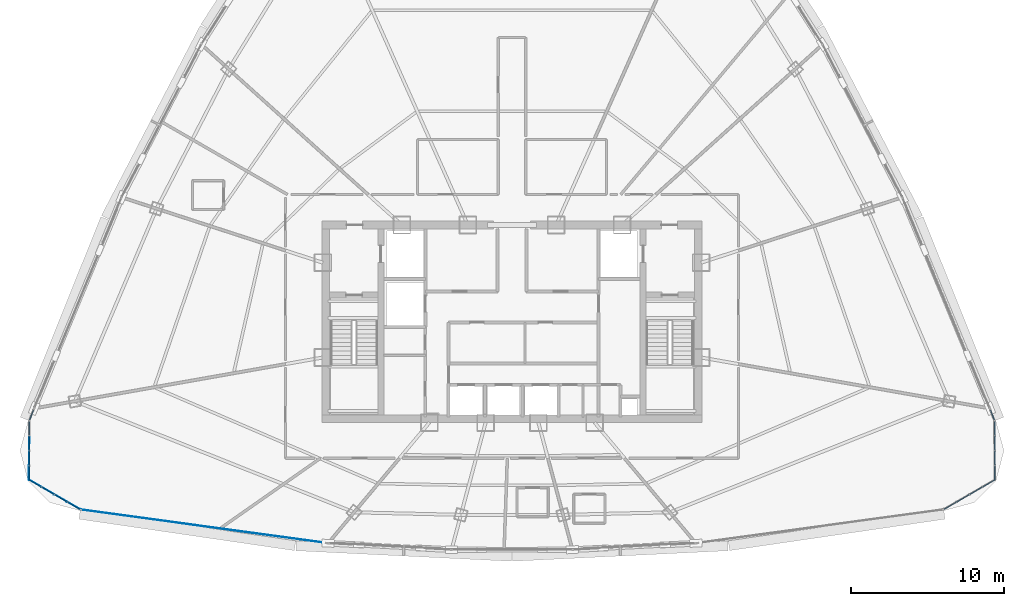
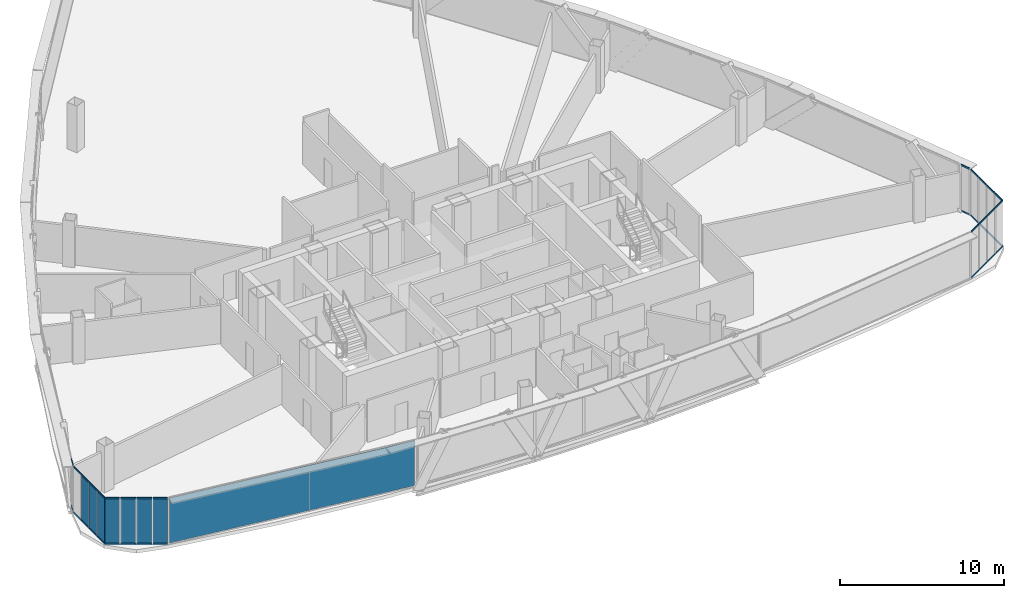
# One storey, part 29 of 40: 36 members, 8 plates, 7 elements without a shape of their own.
"""IFC4 building model written with IfcOpenShell, lengths in metres."""

from ifc_helpers import new_model, si_unit, direction, frame, origin, origin_2d, place, context, subcontext, project, spatial, rectangle, hollow_rectangle, extrude, source, transform, mapped, material, layer, layer_set, material_profile, profile_set, type_object, element, aggregate, save


model = new_model("IFC4")

# Units and contexts
model_context = context("Model", 3, precision=1e-05, world=origin(), true_north=direction((0.0, 1.0)))
body_context = subcontext(model_context, "Body", "Model", "MODEL_VIEW")
ifc_project = project(units=[si_unit("LENGTHUNIT", "METRE"), si_unit("AREAUNIT", "SQUARE_METRE"), si_unit("VOLUMEUNIT", "CUBIC_METRE"), si_unit("PLANEANGLEUNIT", "RADIAN"), si_unit("MASSUNIT", "GRAM", prefix="KILO"), si_unit("THERMODYNAMICTEMPERATUREUNIT", "KELVIN"), si_unit("POWERUNIT", "WATT")], contexts=[model_context])

# Site, building, storey
site_placement = place(None, origin())
site = spatial("IfcSite", under=ifc_project, at=site_placement, CompositionType="ELEMENT")
building_placement = place(site_placement, origin())
building = spatial("IfcBuilding", under=site, at=building_placement, Name="Yunzhuo Pagoda Commons", CompositionType="ELEMENT")
storey_placement = place(building_placement, frame((0.0, 0.0, 288.75)))
storey = spatial("IfcBuildingStorey", under=building, at=storey_placement, Name="L72", CompositionType="ELEMENT", Elevation=288.75)

# Curtain wall, members
ifc_material_1 = material(Name="Anodized aluminium 6063-T6", Category="aluminium")
ifc_layer_1 = layer(ifc_material_1, 0.139892578125)
ifc_layer_set_1 = layer_set([ifc_layer_1], Name="Anodized aluminium 6063-T6")
curtain_wall_type_1 = type_object("IfcCurtainWallType", Name="CW-HI High-Zone Ribbon Curtain Wall", PredefinedType="NOTDEFINED", material=ifc_layer_set_1)
curtain_wall_1_placement = place(storey_placement, origin())
curtain_wall_1 = element("IfcCurtainWall", 1, at=curtain_wall_1_placement, inside=storey, type_object=curtain_wall_type_1, Name="L72 curtain wall CW-L72-F2B1", PredefinedType="NOTDEFINED")
ifc_material_profile_1 = material_profile(ifc_material_1, hollow_rectangle(XDim=0.054931640625, YDim=0.1201171875, WallThickness=0.00341796875, at=origin_2d()), Name="Anodized aluminium 6063-T6")
ifc_profile_set_1 = profile_set([ifc_material_profile_1], Name="Anodized aluminium 6063-T6")
member_type_1 = type_object("IfcMemberType", Name="CW-HI-T Transom RHS 120x55x3.5", PredefinedType="USERDEFINED", material=ifc_profile_set_1)
shared_shape_1 = source(origin(), body_context, "Body", "SweptSolid", [
    extrude(hollow_rectangle(XDim=0.054931640625, YDim=0.1201171875, WallThickness=0.00341796875, at=origin_2d()), origin(), (0.0, 0.0, 1.0), 0.668701171875),
])
member_1_placement = place(storey_placement, frame((79.623291015625, 27.426513671875, 0.027587890625), z_axis=(-0.362499110284, 0.931984117377, 0.0), x_axis=(-0.931984117377, -0.362499110284, 0.0)))
member_1 = element("IfcMember", 2, at=member_1_placement, type_object=member_type_1, Name="CW transom 1.1", ObjectType="TRANSOM", PredefinedType="USERDEFINED", context=body_context, shape_type="MappedRepresentation", body=[
    mapped(shared_shape_1, transform((0.0, 0.0, 0.0), scale=1.0)),
])
member_2_placement = place(storey_placement, frame((79.623291015625, 27.426513671875, 3.4423828125), z_axis=(-0.362499110284, 0.931984117377, 0.0), x_axis=(-0.931984117377, -0.362499110284, 0.0)))
member_2 = element("IfcMember", 3, at=member_2_placement, type_object=member_type_1, Name="CW transom 1.2", ObjectType="TRANSOM", PredefinedType="USERDEFINED", context=body_context, shape_type="MappedRepresentation", body=[
    mapped(shared_shape_1, transform((0.0, 0.0, 0.0), scale=1.0)),
])
aggregate(curtain_wall_1, [member_1, member_2])

curtain_wall_2_placement = place(storey_placement, origin())
curtain_wall_2 = element("IfcCurtainWall", 4, at=curtain_wall_2_placement, inside=storey, type_object=curtain_wall_type_1, Name="L72 curtain wall CW-L72-F3B5", PredefinedType="NOTDEFINED")
member_3_placement = place(storey_placement, frame((16.619140625, 28.0498046875, 0.027587890625), z_axis=(-0.362499110284, -0.931984117377, 0.0), x_axis=(0.931984117377, -0.362499110284, 0.0)))
member_3 = element("IfcMember", 5, at=member_3_placement, type_object=member_type_1, Name="CW transom 1.1", ObjectType="TRANSOM", PredefinedType="USERDEFINED", context=body_context, shape_type="MappedRepresentation", body=[
    mapped(shared_shape_1, transform((0.0, 0.0, 0.0), scale=1.0)),
])
member_4_placement = place(storey_placement, frame((16.619140625, 28.0498046875, 3.4423828125), z_axis=(-0.362499110284, -0.931984117377, 0.0), x_axis=(0.931984117377, -0.362499110284, 0.0)))
member_4 = element("IfcMember", 6, at=member_4_placement, type_object=member_type_1, Name="CW transom 1.2", ObjectType="TRANSOM", PredefinedType="USERDEFINED", context=body_context, shape_type="MappedRepresentation", body=[
    mapped(shared_shape_1, transform((0.0, 0.0, 0.0), scale=1.0)),
])
aggregate(curtain_wall_2, [member_3, member_4])

ifc_layer_2 = layer(ifc_material_1, 0.1298828125)
ifc_layer_set_2 = layer_set([ifc_layer_2], Name="Anodized aluminium 6063-T6")
curtain_wall_type_2 = type_object("IfcCurtainWallType", Name="CW-VTX Rounded Corner Curtain Wall", PredefinedType="NOTDEFINED", material=ifc_layer_set_2)
curtain_wall_3_placement = place(storey_placement, origin())
curtain_wall_3 = element("IfcCurtainWall", 7, at=curtain_wall_3_placement, inside=storey, type_object=curtain_wall_type_2, Name="L72 curtain wall CW-L72-VTX1S1", PredefinedType="NOTDEFINED")
ifc_material_profile_2 = material_profile(ifc_material_1, hollow_rectangle(XDim=0.054931640625, YDim=0.1201171875, WallThickness=0.00341796875, at=origin_2d()), Name="Anodized aluminium 6063-T6")
ifc_profile_set_2 = profile_set([ifc_material_profile_2], Name="Anodized aluminium 6063-T6")
member_type_2 = type_object("IfcMemberType", Name="CW-VTX-T Transom RHS 120x55x3.5", PredefinedType="USERDEFINED", material=ifc_profile_set_2)
shared_shape_2 = source(origin(), body_context, "Body", "SweptSolid", [
    extrude(hollow_rectangle(XDim=0.054931640625, YDim=0.1201171875, WallThickness=0.00341796875, at=origin_2d()), origin(), (0.0, 0.0, 1.0), 0.8994140625),
])
member_5_placement = place(storey_placement, frame((16.354736328125, 27.3154296875, 0.027587890625), z_axis=(-0.00325731171, -0.999994694946, 0.0), x_axis=(0.999994694946, -0.00325731171, 0.0)))
member_5 = element("IfcMember", 8, at=member_5_placement, type_object=member_type_2, Name="CW transom 1.1", ObjectType="TRANSOM", PredefinedType="USERDEFINED", context=body_context, shape_type="MappedRepresentation", body=[
    mapped(shared_shape_2, transform((0.0, 0.0, 0.0), scale=1.0)),
])
member_6_placement = place(storey_placement, frame((16.354736328125, 27.3154296875, 3.4423828125), z_axis=(-0.00325731171, -0.999994694946, 0.0), x_axis=(0.999994694946, -0.00325731171, 0.0)))
member_6 = element("IfcMember", 9, at=member_6_placement, type_object=member_type_2, Name="CW transom 1.2", ObjectType="TRANSOM", PredefinedType="USERDEFINED", context=body_context, shape_type="MappedRepresentation", body=[
    mapped(shared_shape_2, transform((0.0, 0.0, 0.0), scale=1.0)),
])
member_7_placement = place(storey_placement, frame((16.34423828125, 24.397216796875, 0.027587890625), z_axis=(-0.00325731171, -0.999994694946, 0.0), x_axis=(0.999994694946, -0.00325731171, 0.0)))
member_7 = element("IfcMember", 10, at=member_7_placement, type_object=member_type_2, Name="CW transom 4.1", ObjectType="TRANSOM", PredefinedType="USERDEFINED", context=body_context, shape_type="MappedRepresentation", body=[
    mapped(shared_shape_2, transform((0.0, 0.0, 0.0), scale=1.0)),
])
member_8_placement = place(storey_placement, frame((16.34423828125, 24.397216796875, 3.4423828125), z_axis=(-0.00325731171, -0.999994694946, 0.0), x_axis=(0.999994694946, -0.00325731171, 0.0)))
member_8 = element("IfcMember", 11, at=member_8_placement, type_object=member_type_2, Name="CW transom 4.2", ObjectType="TRANSOM", PredefinedType="USERDEFINED", context=body_context, shape_type="MappedRepresentation", body=[
    mapped(shared_shape_2, transform((0.0, 0.0, 0.0), scale=1.0)),
])

curtain_wall_4_placement = place(storey_placement, origin())
curtain_wall_4 = element("IfcCurtainWall", 12, at=curtain_wall_4_placement, inside=storey, type_object=curtain_wall_type_2, Name="L72 curtain wall CW-L72-VTX1S2", PredefinedType="NOTDEFINED")
member_9_placement = place(storey_placement, frame((16.348388671875, 23.484619140625, 0.027587890625), z_axis=(0.865574911802, -0.500779464495, 0.0), x_axis=(0.500779464495, 0.865574911802, 0.0)))
member_9 = element("IfcMember", 13, at=member_9_placement, type_object=member_type_2, Name="CW transom 1.1", ObjectType="TRANSOM", PredefinedType="USERDEFINED", context=body_context, shape_type="MappedRepresentation", body=[
    mapped(shared_shape_2, transform((0.0, 0.0, 0.0), scale=1.0)),
])
member_10_placement = place(storey_placement, frame((16.348388671875, 23.484619140625, 3.4423828125), z_axis=(0.865574911802, -0.500779464495, 0.0), x_axis=(0.500779464495, 0.865574911802, 0.0)))
member_10 = element("IfcMember", 14, at=member_10_placement, type_object=member_type_2, Name="CW transom 1.2", ObjectType="TRANSOM", PredefinedType="USERDEFINED", context=body_context, shape_type="MappedRepresentation", body=[
    mapped(shared_shape_2, transform((0.0, 0.0, 0.0), scale=1.0)),
])

curtain_wall_5_placement = place(storey_placement, origin())
curtain_wall_5 = element("IfcCurtainWall", 15, at=curtain_wall_5_placement, inside=storey, type_object=curtain_wall_type_2, Name="L72 curtain wall CW-L72-VTX2S1", PredefinedType="NOTDEFINED")
member_11_placement = place(storey_placement, frame((78.873046875, 23.0341796875, 0.027587890625), z_axis=(0.865574911802, 0.500779464495, 0.0), x_axis=(-0.500779464495, 0.865574911802, 0.0)))
member_11 = element("IfcMember", 16, at=member_11_placement, type_object=member_type_2, Name="CW transom 4.1", ObjectType="TRANSOM", PredefinedType="USERDEFINED", context=body_context, shape_type="MappedRepresentation", body=[
    mapped(shared_shape_2, transform((0.0, 0.0, 0.0), scale=1.0)),
])
member_12_placement = place(storey_placement, frame((78.873046875, 23.0341796875, 3.4423828125), z_axis=(0.865574911802, 0.500779464495, 0.0), x_axis=(-0.500779464495, 0.865574911802, 0.0)))
member_12 = element("IfcMember", 17, at=member_12_placement, type_object=member_type_2, Name="CW transom 4.2", ObjectType="TRANSOM", PredefinedType="USERDEFINED", context=body_context, shape_type="MappedRepresentation", body=[
    mapped(shared_shape_2, transform((0.0, 0.0, 0.0), scale=1.0)),
])

curtain_wall_6_placement = place(storey_placement, origin())
curtain_wall_6 = element("IfcCurtainWall", 18, at=curtain_wall_6_placement, inside=storey, type_object=curtain_wall_type_2, Name="L72 curtain wall CW-L72-VTX2S2", PredefinedType="NOTDEFINED")
member_13_placement = place(storey_placement, frame((79.6591796875, 23.497802734375, 0.027587890625), z_axis=(-0.003800189715, 0.999992779253, 0.0), x_axis=(-0.999992779253, -0.003800189715, 0.0)))
member_13 = element("IfcMember", 19, at=member_13_placement, type_object=member_type_2, Name="CW transom 1.1", ObjectType="TRANSOM", PredefinedType="USERDEFINED", context=body_context, shape_type="MappedRepresentation", body=[
    mapped(shared_shape_2, transform((0.0, 0.0, 0.0), scale=1.0)),
])
member_14_placement = place(storey_placement, frame((79.6591796875, 23.497802734375, 3.4423828125), z_axis=(-0.003800189715, 0.999992779253, 0.0), x_axis=(-0.999992779253, -0.003800189715, 0.0)))
member_14 = element("IfcMember", 20, at=member_14_placement, type_object=member_type_2, Name="CW transom 1.2", ObjectType="TRANSOM", PredefinedType="USERDEFINED", context=body_context, shape_type="MappedRepresentation", body=[
    mapped(shared_shape_2, transform((0.0, 0.0, 0.0), scale=1.0)),
])
member_15_placement = place(storey_placement, frame((79.648681640625, 26.416015625, 0.027587890625), z_axis=(-0.003800189715, 0.999992779253, 0.0), x_axis=(-0.999992779253, -0.003800189715, 0.0)))
member_15 = element("IfcMember", 21, at=member_15_placement, type_object=member_type_2, Name="CW transom 4.1", ObjectType="TRANSOM", PredefinedType="USERDEFINED", context=body_context, shape_type="MappedRepresentation", body=[
    mapped(shared_shape_2, transform((0.0, 0.0, 0.0), scale=1.0)),
])
member_16_placement = place(storey_placement, frame((79.648681640625, 26.416015625, 3.4423828125), z_axis=(-0.003800189715, 0.999992779253, 0.0), x_axis=(-0.999992779253, -0.003800189715, 0.0)))
member_16 = element("IfcMember", 22, at=member_16_placement, type_object=member_type_2, Name="CW transom 4.2", ObjectType="TRANSOM", PredefinedType="USERDEFINED", context=body_context, shape_type="MappedRepresentation", body=[
    mapped(shared_shape_2, transform((0.0, 0.0, 0.0), scale=1.0)),
])

# Member
shared_shape_3 = source(origin(), body_context, "Body", "SweptSolid", [
    extrude(hollow_rectangle(XDim=0.054931640625, YDim=0.1201171875, WallThickness=0.00341796875, at=origin_2d()), origin(), (0.0, 0.0, 1.0), 0.9267578125),
])
member_17_placement = place(storey_placement, frame((16.351318359375, 26.36083984375, 0.027587890625), z_axis=(-0.003688067647, -0.999993199055, 0.0), x_axis=(0.999993199055, -0.003688067647, 0.0)))
member_17 = element("IfcMember", 23, at=member_17_placement, type_object=member_type_2, Name="CW transom 2.1", ObjectType="TRANSOM", PredefinedType="USERDEFINED", context=body_context, shape_type="MappedRepresentation", body=[
    mapped(shared_shape_3, transform((0.0, 0.0, 0.0), scale=1.0)),
])

member_18_placement = place(storey_placement, frame((16.351318359375, 26.36083984375, 3.4423828125), z_axis=(-0.003688067647, -0.999993199055, 0.0), x_axis=(0.999993199055, -0.003688067647, 0.0)))
member_18 = element("IfcMember", 24, at=member_18_placement, type_object=member_type_2, Name="CW transom 2.2", ObjectType="TRANSOM", PredefinedType="USERDEFINED", context=body_context, shape_type="MappedRepresentation", body=[
    mapped(shared_shape_3, transform((0.0, 0.0, 0.0), scale=1.0)),
])

member_19_placement = place(storey_placement, frame((16.34765625, 25.37890625, 0.027587890625), z_axis=(-0.003424637452, -0.999994135912, 0.0), x_axis=(0.999994135912, -0.003424637452, 0.0)))
member_19 = element("IfcMember", 25, at=member_19_placement, type_object=member_type_2, Name="CW transom 3.1", ObjectType="TRANSOM", PredefinedType="USERDEFINED", context=body_context, shape_type="MappedRepresentation", body=[
    mapped(shared_shape_3, transform((0.0, 0.0, 0.0), scale=1.0)),
])

member_20_placement = place(storey_placement, frame((16.34765625, 25.37890625, 3.4423828125), z_axis=(-0.003424637452, -0.999994135912, 0.0), x_axis=(0.999994135912, -0.003424637452, 0.0)))
member_20 = element("IfcMember", 26, at=member_20_placement, type_object=member_type_2, Name="CW transom 3.2", ObjectType="TRANSOM", PredefinedType="USERDEFINED", context=body_context, shape_type="MappedRepresentation", body=[
    mapped(shared_shape_3, transform((0.0, 0.0, 0.0), scale=1.0)),
])

member_21_placement = place(storey_placement, frame((17.1748046875, 23.006591796875, 0.027587890625), z_axis=(0.865294005039, -0.501264685415, 0.0), x_axis=(0.501264685415, 0.865294005039, 0.0)))
member_21 = element("IfcMember", 27, at=member_21_placement, type_object=member_type_2, Name="CW transom 2.1", ObjectType="TRANSOM", PredefinedType="USERDEFINED", context=body_context, shape_type="MappedRepresentation", body=[
    mapped(shared_shape_3, transform((0.0, 0.0, 0.0), scale=1.0)),
])

member_22_placement = place(storey_placement, frame((17.1748046875, 23.006591796875, 3.4423828125), z_axis=(0.865294005039, -0.501264685415, 0.0), x_axis=(0.501264685415, 0.865294005039, 0.0)))
member_22 = element("IfcMember", 28, at=member_22_placement, type_object=member_type_2, Name="CW transom 2.2", ObjectType="TRANSOM", PredefinedType="USERDEFINED", context=body_context, shape_type="MappedRepresentation", body=[
    mapped(shared_shape_3, transform((0.0, 0.0, 0.0), scale=1.0)),
])

member_23_placement = place(storey_placement, frame((78.023681640625, 22.5419921875, 0.027587890625), z_axis=(0.865294005039, 0.501264685415, 0.0), x_axis=(-0.501264685415, 0.865294005039, 0.0)))
member_23 = element("IfcMember", 29, at=member_23_placement, type_object=member_type_2, Name="CW transom 3.1", ObjectType="TRANSOM", PredefinedType="USERDEFINED", context=body_context, shape_type="MappedRepresentation", body=[
    mapped(shared_shape_3, transform((0.0, 0.0, 0.0), scale=1.0)),
])

member_24_placement = place(storey_placement, frame((78.023681640625, 22.5419921875, 3.4423828125), z_axis=(0.865294005039, 0.501264685415, 0.0), x_axis=(-0.501264685415, 0.865294005039, 0.0)))
member_24 = element("IfcMember", 30, at=member_24_placement, type_object=member_type_2, Name="CW transom 3.2", ObjectType="TRANSOM", PredefinedType="USERDEFINED", context=body_context, shape_type="MappedRepresentation", body=[
    mapped(shared_shape_3, transform((0.0, 0.0, 0.0), scale=1.0)),
])

member_25_placement = place(storey_placement, frame((79.655517578125, 24.4521484375, 0.027587890625), z_axis=(-0.003424637452, 0.999994135912, 0.0), x_axis=(-0.999994135912, -0.003424637452, 0.0)))
member_25 = element("IfcMember", 31, at=member_25_placement, type_object=member_type_2, Name="CW transom 2.1", ObjectType="TRANSOM", PredefinedType="USERDEFINED", context=body_context, shape_type="MappedRepresentation", body=[
    mapped(shared_shape_3, transform((0.0, 0.0, 0.0), scale=1.0)),
])

member_26_placement = place(storey_placement, frame((79.655517578125, 24.4521484375, 3.4423828125), z_axis=(-0.003424637452, 0.999994135912, 0.0), x_axis=(-0.999994135912, -0.003424637452, 0.0)))
member_26 = element("IfcMember", 32, at=member_26_placement, type_object=member_type_2, Name="CW transom 2.2", ObjectType="TRANSOM", PredefinedType="USERDEFINED", context=body_context, shape_type="MappedRepresentation", body=[
    mapped(shared_shape_3, transform((0.0, 0.0, 0.0), scale=1.0)),
])

member_27_placement = place(storey_placement, frame((79.652099609375, 25.43408203125, 0.027587890625), z_axis=(-0.003688067647, 0.999993199055, 0.0), x_axis=(-0.999993199055, -0.003688067647, 0.0)))
member_27 = element("IfcMember", 33, at=member_27_placement, type_object=member_type_2, Name="CW transom 3.1", ObjectType="TRANSOM", PredefinedType="USERDEFINED", context=body_context, shape_type="MappedRepresentation", body=[
    mapped(shared_shape_3, transform((0.0, 0.0, 0.0), scale=1.0)),
])

member_28_placement = place(storey_placement, frame((79.652099609375, 25.43408203125, 3.4423828125), z_axis=(-0.003688067647, 0.999993199055, 0.0), x_axis=(-0.999993199055, -0.003688067647, 0.0)))
member_28 = element("IfcMember", 34, at=member_28_placement, type_object=member_type_2, Name="CW transom 3.2", ObjectType="TRANSOM", PredefinedType="USERDEFINED", context=body_context, shape_type="MappedRepresentation", body=[
    mapped(shared_shape_3, transform((0.0, 0.0, 0.0), scale=1.0)),
])

aggregate(curtain_wall_6, [member_13, member_14, member_25, member_26, member_27, member_28, member_15, member_16])

shared_shape_4 = source(origin(), body_context, "Body", "SweptSolid", [
    extrude(hollow_rectangle(XDim=0.054931640625, YDim=0.1201171875, WallThickness=0.00341796875, at=origin_2d()), origin(), (0.0, 0.0, 1.0), 0.927001953125),
])
member_29_placement = place(storey_placement, frame((18.024169921875, 22.514404296875, 0.027587890625), z_axis=(0.865474367898, -0.500953209903, 0.0), x_axis=(0.500953209903, 0.865474367898, 0.0)))
member_29 = element("IfcMember", 35, at=member_29_placement, type_object=member_type_2, Name="CW transom 3.1", ObjectType="TRANSOM", PredefinedType="USERDEFINED", context=body_context, shape_type="MappedRepresentation", body=[
    mapped(shared_shape_4, transform((0.0, 0.0, 0.0), scale=1.0)),
])

member_30_placement = place(storey_placement, frame((18.024169921875, 22.514404296875, 3.4423828125), z_axis=(0.865474367898, -0.500953209903, 0.0), x_axis=(0.500953209903, 0.865474367898, 0.0)))
member_30 = element("IfcMember", 36, at=member_30_placement, type_object=member_type_2, Name="CW transom 3.2", ObjectType="TRANSOM", PredefinedType="USERDEFINED", context=body_context, shape_type="MappedRepresentation", body=[
    mapped(shared_shape_4, transform((0.0, 0.0, 0.0), scale=1.0)),
])

member_31_placement = place(storey_placement, frame((77.173583984375, 22.050048828125, 0.027587890625), z_axis=(0.865474367898, 0.500953209903, 0.0), x_axis=(-0.500953209903, 0.865474367898, 0.0)))
member_31 = element("IfcMember", 37, at=member_31_placement, type_object=member_type_2, Name="CW transom 2.1", ObjectType="TRANSOM", PredefinedType="USERDEFINED", context=body_context, shape_type="MappedRepresentation", body=[
    mapped(shared_shape_4, transform((0.0, 0.0, 0.0), scale=1.0)),
])

member_32_placement = place(storey_placement, frame((77.173583984375, 22.050048828125, 3.4423828125), z_axis=(0.865474367898, 0.500953209903, 0.0), x_axis=(-0.500953209903, 0.865474367898, 0.0)))
member_32 = element("IfcMember", 38, at=member_32_placement, type_object=member_type_2, Name="CW transom 2.2", ObjectType="TRANSOM", PredefinedType="USERDEFINED", context=body_context, shape_type="MappedRepresentation", body=[
    mapped(shared_shape_4, transform((0.0, 0.0, 0.0), scale=1.0)),
])

shared_shape_5 = source(origin(), body_context, "Body", "SweptSolid", [
    extrude(hollow_rectangle(XDim=0.054931640625, YDim=0.1201171875, WallThickness=0.00341796875, at=origin_2d()), origin(), (0.0, 0.0, 1.0), 0.899169921875),
])
member_33_placement = place(storey_placement, frame((18.8740234375, 22.0224609375, 0.027587890625), z_axis=(0.865624510465, -0.500693725627, 0.0), x_axis=(0.500693725627, 0.865624510465, 0.0)))
member_33 = element("IfcMember", 39, at=member_33_placement, type_object=member_type_2, Name="CW transom 4.1", ObjectType="TRANSOM", PredefinedType="USERDEFINED", context=body_context, shape_type="MappedRepresentation", body=[
    mapped(shared_shape_5, transform((0.0, 0.0, 0.0), scale=1.0)),
])

member_34_placement = place(storey_placement, frame((18.8740234375, 22.0224609375, 3.4423828125), z_axis=(0.865624510465, -0.500693725627, 0.0), x_axis=(0.500693725627, 0.865624510465, 0.0)))
member_34 = element("IfcMember", 40, at=member_34_placement, type_object=member_type_2, Name="CW transom 4.2", ObjectType="TRANSOM", PredefinedType="USERDEFINED", context=body_context, shape_type="MappedRepresentation", body=[
    mapped(shared_shape_5, transform((0.0, 0.0, 0.0), scale=1.0)),
])

member_35_placement = place(storey_placement, frame((76.34765625, 21.572265625, 0.027587890625), z_axis=(0.865624510465, 0.500693725627, 0.0), x_axis=(-0.500693725627, 0.865624510465, 0.0)))
member_35 = element("IfcMember", 41, at=member_35_placement, type_object=member_type_2, Name="CW transom 1.1", ObjectType="TRANSOM", PredefinedType="USERDEFINED", context=body_context, shape_type="MappedRepresentation", body=[
    mapped(shared_shape_5, transform((0.0, 0.0, 0.0), scale=1.0)),
])

member_36_placement = place(storey_placement, frame((76.34765625, 21.572265625, 3.4423828125), z_axis=(0.865624510465, 0.500693725627, 0.0), x_axis=(-0.500693725627, 0.865624510465, 0.0)))
member_36 = element("IfcMember", 42, at=member_36_placement, type_object=member_type_2, Name="CW transom 1.2", ObjectType="TRANSOM", PredefinedType="USERDEFINED", context=body_context, shape_type="MappedRepresentation", body=[
    mapped(shared_shape_5, transform((0.0, 0.0, 0.0), scale=1.0)),
])

aggregate(curtain_wall_5, [member_35, member_36, member_31, member_32, member_23, member_24, member_11, member_12])

# Curtain wall, plate
curtain_wall_7_placement = place(storey_placement, origin())
curtain_wall_7 = element("IfcCurtainWall", 43, at=curtain_wall_7_placement, inside=storey, type_object=curtain_wall_type_1, Name="L72 curtain wall CW-L72-F1B1", PredefinedType="NOTDEFINED")
ifc_material_2 = material(Name="Tempered low-e double glazing", Category="glass")
ifc_layer_3 = layer(ifc_material_2, 0.02587890625)
ifc_layer_set_3 = layer_set([ifc_layer_3], Name="Tempered low-e double glazing")
plate_type_1 = type_object("IfcPlateType", Name="CW-HI-P Low-E Double Glazing 26", PredefinedType="CURTAIN_PANEL", material=ifc_layer_set_3)
shared_shape_6 = source(origin(), body_context, "Body", "SweptSolid", [
    extrude(rectangle(XDim=16.199951171875, YDim=0.028076171875, at=origin_2d()), origin(), (0.0, 0.0, 1.0), 3.360107421875),
])
plate_1_placement = place(storey_placement, frame((27.785400390625, 20.444091796875, 0.05517578125), z_axis=(0.0, 0.0, 1.0), x_axis=(0.99086548222, -0.134853980826, 0.0)))
plate_1 = element("IfcPlate", 44, at=plate_1_placement, type_object=plate_type_1, Name="CW panel 1.1", PredefinedType="CURTAIN_PANEL", context=body_context, shape_type="MappedRepresentation", body=[
    mapped(shared_shape_6, transform((0.0, 0.0, 0.0), scale=1.0)),
])
aggregate(curtain_wall_7, [plate_1])

# Plate
ifc_layer_4 = layer(ifc_material_2, 0.02587890625)
ifc_layer_set_4 = layer_set([ifc_layer_4], Name="Tempered low-e double glazing")
plate_type_2 = type_object("IfcPlateType", Name="CW-VTX-P Low-E Double Glazing 26", PredefinedType="CURTAIN_PANEL", material=ifc_layer_set_4)
shared_shape_7 = source(origin(), body_context, "Body", "SweptSolid", [
    extrude(rectangle(XDim=0.8994140625, YDim=0.028076171875, at=origin_2d()), origin(), (0.0, 0.0, 1.0), 3.360107421875),
])
plate_2_placement = place(storey_placement, frame((16.342529296875, 23.947509765625, 0.05517578125), z_axis=(0.0, 0.0, 1.0), x_axis=(-0.003589955472, -0.999993556089, 0.0)))
plate_2 = element("IfcPlate", 45, at=plate_2_placement, type_object=plate_type_2, Name="CW panel 4.1", PredefinedType="CURTAIN_PANEL", context=body_context, shape_type="MappedRepresentation", body=[
    mapped(shared_shape_7, transform((0.0, 0.0, 0.0), scale=1.0)),
])

plate_3_placement = place(storey_placement, frame((16.73779296875, 23.25927734375, 0.05517578125), z_axis=(0.0, 0.0, 1.0), x_axis=(0.86543732532, -0.501017201245, 0.0)))
plate_3 = element("IfcPlate", 46, at=plate_3_placement, type_object=plate_type_2, Name="CW panel 1.1", PredefinedType="CURTAIN_PANEL", context=body_context, shape_type="MappedRepresentation", body=[
    mapped(shared_shape_7, transform((0.0, 0.0, 0.0), scale=1.0)),
])

plate_4_placement = place(storey_placement, frame((19.26318359375, 21.79736328125, 0.05517578125), z_axis=(0.0, 0.0, 1.0), x_axis=(0.86543732532, -0.501017201245, 0.0)))
plate_4 = element("IfcPlate", 47, at=plate_4_placement, type_object=plate_type_2, Name="CW panel 4.1", PredefinedType="CURTAIN_PANEL", context=body_context, shape_type="MappedRepresentation", body=[
    mapped(shared_shape_7, transform((0.0, 0.0, 0.0), scale=1.0)),
])

shared_shape_8 = source(origin(), body_context, "Body", "SweptSolid", [
    extrude(rectangle(XDim=0.927001953125, YDim=0.028076171875, at=origin_2d()), origin(), (0.0, 0.0, 1.0), 3.360107421875),
])
plate_5_placement = place(storey_placement, frame((16.349609375, 25.8974609375, 0.05517578125), z_axis=(0.0, 0.0, 1.0), x_axis=(-0.003589955472, -0.999993556089, 0.0)))
plate_5 = element("IfcPlate", 48, at=plate_5_placement, type_object=plate_type_2, Name="CW panel 2.1", PredefinedType="CURTAIN_PANEL", context=body_context, shape_type="MappedRepresentation", body=[
    mapped(shared_shape_8, transform((0.0, 0.0, 0.0), scale=1.0)),
])

plate_6_placement = place(storey_placement, frame((16.34619140625, 24.91552734375, 0.05517578125), z_axis=(0.0, 0.0, 1.0), x_axis=(-0.003589955472, -0.999993556089, 0.0)))
plate_6 = element("IfcPlate", 49, at=plate_6_placement, type_object=plate_type_2, Name="CW panel 3.1", PredefinedType="CURTAIN_PANEL", context=body_context, shape_type="MappedRepresentation", body=[
    mapped(shared_shape_8, transform((0.0, 0.0, 0.0), scale=1.0)),
])

aggregate(curtain_wall_3, [member_5, member_6, member_17, member_18, plate_5, member_19, member_20, plate_6, member_7, member_8, plate_2])

plate_7_placement = place(storey_placement, frame((17.57568359375, 22.774169921875, 0.05517578125), z_axis=(0.0, 0.0, 1.0), x_axis=(0.86543732532, -0.501017201245, 0.0)))
plate_7 = element("IfcPlate", 50, at=plate_7_placement, type_object=plate_type_2, Name="CW panel 2.1", PredefinedType="CURTAIN_PANEL", context=body_context, shape_type="MappedRepresentation", body=[
    mapped(shared_shape_8, transform((0.0, 0.0, 0.0), scale=1.0)),
])

plate_8_placement = place(storey_placement, frame((18.42529296875, 22.2822265625, 0.05517578125), z_axis=(0.0, 0.0, 1.0), x_axis=(0.86543732532, -0.501017201245, 0.0)))
plate_8 = element("IfcPlate", 51, at=plate_8_placement, type_object=plate_type_2, Name="CW panel 3.1", PredefinedType="CURTAIN_PANEL", context=body_context, shape_type="MappedRepresentation", body=[
    mapped(shared_shape_8, transform((0.0, 0.0, 0.0), scale=1.0)),
])

aggregate(curtain_wall_4, [member_9, member_10, plate_3, member_21, member_22, plate_7, member_29, member_30, plate_8, member_33, member_34, plate_4])

save(model, "model.ifc")
